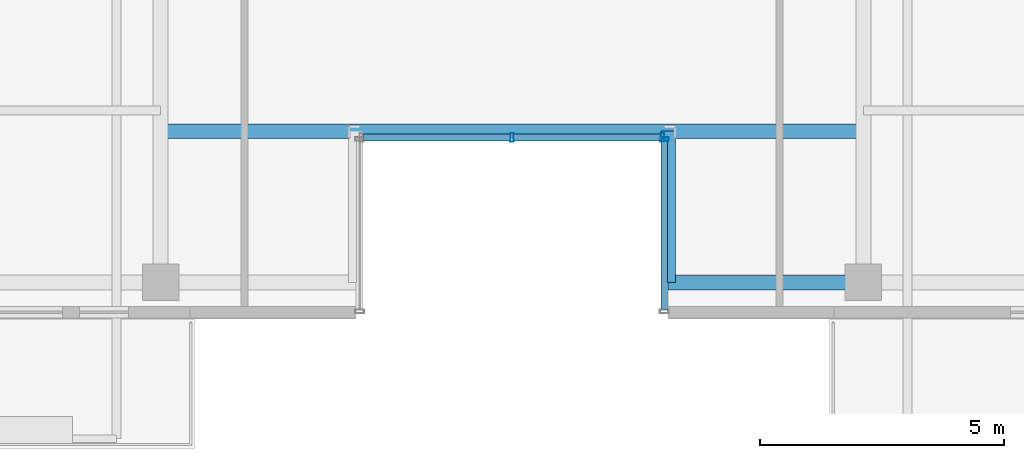
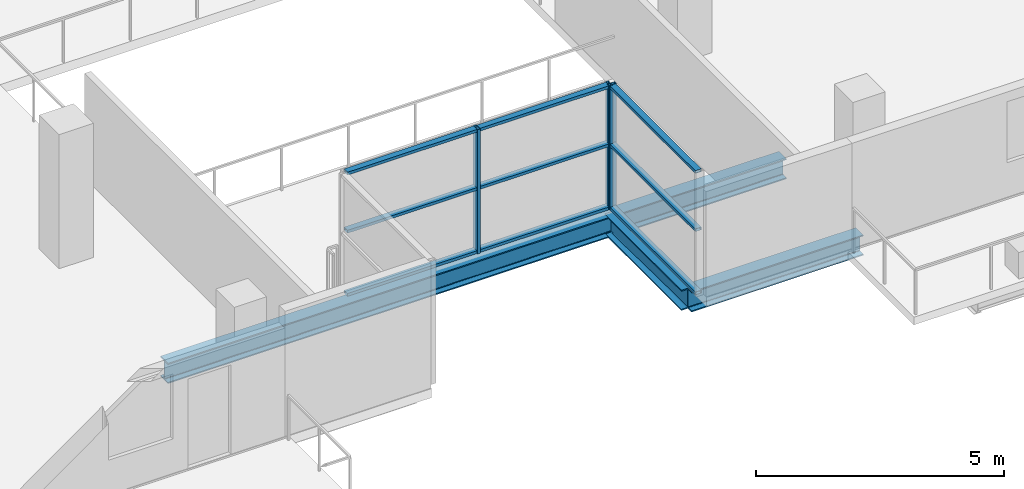
# One storey, part 7 of 25: 12 members, 3 beams, 2 elements without a shape of their own.
"""IFC4 building model written with IfcOpenShell, lengths in metres."""

from ifc_helpers import new_model, si_unit, direction, frame, origin, origin_2d, place, context, subcontext, project, spatial, hollow_rectangle, i_section, extrude, source, transform, mapped, material, layer, layer_set, material_profile, profile_set, type_object, element, aggregate, save


model = new_model("IFC4")

# Units and contexts
model_context = context("Model", 3, precision=1e-05, world=origin(), true_north=direction((0.0, 1.0)))
body_context = subcontext(model_context, "Body", "Model", "MODEL_VIEW")
ifc_project = project(units=[si_unit("LENGTHUNIT", "METRE"), si_unit("AREAUNIT", "SQUARE_METRE"), si_unit("VOLUMEUNIT", "CUBIC_METRE"), si_unit("PLANEANGLEUNIT", "RADIAN"), si_unit("MASSUNIT", "GRAM", prefix="KILO")], contexts=[model_context])

# Site, building, storey
site_placement = place(None, origin())
site = spatial("IfcSite", under=ifc_project, at=site_placement, CompositionType="ELEMENT")
building_placement = place(site_placement, origin())
building = spatial("IfcBuilding", under=site, at=building_placement, Name="Zarnakvel Exchange Tower", CompositionType="ELEMENT")
storey_placement = place(building_placement, frame((0.0, 0.0, 169.300048828125)))
storey = spatial("IfcBuildingStorey", under=building, at=storey_placement, Name="L47", CompositionType="ELEMENT", Elevation=169.300048828125)

# Beams
ifc_material_1 = material(Name="Steel S355", Category="steel")
ifc_material_profile_1 = material_profile(ifc_material_1, i_section(OverallWidth=0.300048828125, OverallDepth=0.5, WebThickness=0.014404296875, FlangeThickness=0.028076171875, FilletRadius=0.027099609375, at=origin_2d()))
ifc_profile_set_1 = profile_set([ifc_material_profile_1], Name="Steel S355")
beam_type_1 = type_object("IfcBeamType", Name="G-06", PredefinedType="BEAM", material=ifc_profile_set_1)
beam_1_placement = place(storey_placement, frame((3.199951171875, -16.64990234375, -0.47509765625), z_axis=(0.0, 1.0, 0.0), x_axis=(-1.0, 0.0, 0.0)))
element("IfcBeam", 1, at=beam_1_placement, inside=storey, type_object=beam_type_1, Name="L47 South Slot East Cheek Beam", PredefinedType="BEAM", context=body_context, shape_type="SweptSolid", body=[
    extrude(i_section(OverallWidth=0.300048828125, OverallDepth=0.5, WebThickness=0.014404296875, FlangeThickness=0.028076171875, FilletRadius=0.027099609375, at=origin_2d()), origin(), (0.0, 0.0, 1.0), 3.099853515625),
])
ifc_material_profile_2 = material_profile(ifc_material_1, i_section(OverallWidth=0.300048828125, OverallDepth=0.5, WebThickness=0.014404296875, FlangeThickness=0.028076171875, FilletRadius=0.027099609375, at=origin_2d()))
ifc_profile_set_2 = profile_set([ifc_material_profile_2], Name="Steel S355")
beam_type_2 = type_object("IfcBeamType", Name="SP-02", PredefinedType="SPANDREL", material=ifc_profile_set_2)
beam_2_placement = place(storey_placement, frame((3.199951171875, -16.64990234375, -0.47509765625), z_axis=(1.0, 0.0, 0.0), x_axis=(0.0, 1.0, 0.0)))
element("IfcBeam", 2, at=beam_2_placement, inside=storey, type_object=beam_type_2, Name="L47 South Slot East Jamb Spandrel", PredefinedType="SPANDREL", context=body_context, shape_type="SweptSolid", body=[
    extrude(i_section(OverallWidth=0.300048828125, OverallDepth=0.5, WebThickness=0.014404296875, FlangeThickness=0.028076171875, FilletRadius=0.027099609375, at=origin_2d()), origin(), (0.0, 0.0, 1.0), 4.0),
])
beam_3_placement = place(storey_placement, frame((-7.199951171875, -13.550048828125, -0.47509765625), z_axis=(1.0, 0.0, 0.0), x_axis=(0.0, 1.0, 0.0)))
element("IfcBeam", 3, at=beam_3_placement, inside=storey, type_object=beam_type_2, Name="L47 South Slot Head Trimmer Girder", PredefinedType="SPANDREL", context=body_context, shape_type="SweptSolid", body=[
    extrude(i_section(OverallWidth=0.300048828125, OverallDepth=0.5, WebThickness=0.014404296875, FlangeThickness=0.028076171875, FilletRadius=0.027099609375, at=origin_2d()), origin(), (0.0, 0.0, 1.0), 14.39990234375),
])

# Curtain wall, members
ifc_material_2 = material(Name="Architectural Bronze Anodised Aluminium", Category="aluminium")
ifc_layer = layer(ifc_material_2, 0.179931640625)
ifc_layer_set = layer_set([ifc_layer], Name="Architectural Bronze Anodised Aluminium")
curtain_wall_type = type_object("IfcCurtainWallType", Name="CW-05", PredefinedType="NOTDEFINED", material=ifc_layer_set)
curtain_wall_1_placement = place(storey_placement, origin())
curtain_wall_1 = element("IfcCurtainWall", 4, at=curtain_wall_1_placement, inside=storey, type_object=curtain_wall_type, Name="L47 Curtain Wall CW-L47-SLE (CW-05)", PredefinedType="NOTDEFINED")
ifc_material_profile_3 = material_profile(ifc_material_2, hollow_rectangle(XDim=0.139892578125, YDim=0.070068359375, WallThickness=0.00390625, at=origin_2d()))
ifc_profile_set_3 = profile_set([ifc_material_profile_3], Name="Architectural Bronze Anodised Aluminium")
member_type_1 = type_object("IfcMemberType", Name="CWT-05", PredefinedType="USERDEFINED", material=ifc_profile_set_3)
shared_shape_1 = source(origin(), body_context, "Body", "SweptSolid", [
    extrude(hollow_rectangle(XDim=0.139892578125, YDim=0.070068359375, WallThickness=0.00390625, at=origin_2d()), origin(), (0.0, 0.0, 1.0), 3.4599609375),
])
member_1_placement = place(storey_placement, frame((3.1201171875, -13.75, 0.034912109375), z_axis=(0.0, -1.0, 0.0), x_axis=(1.0, 0.0, 0.0)))
member_1 = element("IfcMember", 5, at=member_1_placement, type_object=member_type_1, Name="CW-05 transom 1.1", ObjectType="TRANSOM", PredefinedType="USERDEFINED", context=body_context, shape_type="MappedRepresentation", body=[
    mapped(shared_shape_1, transform((0.0, 0.0, 0.0), x_axis=(1.0, 0.0, 0.0), y_axis=(0.0, 1.0, 0.0), z_axis=(0.0, 0.0, 1.0), scale=1.0)),
])
member_2_placement = place(storey_placement, frame((3.1201171875, -13.75, 1.588623046875), z_axis=(0.0, -1.0, 0.0), x_axis=(1.0, 0.0, 0.0)))
member_2 = element("IfcMember", 6, at=member_2_placement, type_object=member_type_1, Name="CW-05 transom 1.2", ObjectType="TRANSOM", PredefinedType="USERDEFINED", context=body_context, shape_type="MappedRepresentation", body=[
    mapped(shared_shape_1, transform((0.0, 0.0, 0.0), x_axis=(1.0, 0.0, 0.0), y_axis=(0.0, 1.0, 0.0), z_axis=(0.0, 0.0, 1.0), scale=1.0)),
])
member_3_placement = place(storey_placement, frame((3.1201171875, -13.75, 3.02001953125), z_axis=(0.0, -1.0, 0.0), x_axis=(1.0, 0.0, 0.0)))
member_3 = element("IfcMember", 7, at=member_3_placement, type_object=member_type_1, Name="CW-05 transom 1.3", ObjectType="TRANSOM", PredefinedType="USERDEFINED", context=body_context, shape_type="MappedRepresentation", body=[
    mapped(shared_shape_1, transform((0.0, 0.0, 0.0), x_axis=(1.0, 0.0, 0.0), y_axis=(0.0, 1.0, 0.0), z_axis=(0.0, 0.0, 1.0), scale=1.0)),
])

curtain_wall_2_placement = place(storey_placement, origin())
curtain_wall_2 = element("IfcCurtainWall", 8, at=curtain_wall_2_placement, inside=storey, type_object=curtain_wall_type, Name="L47 Curtain Wall CW-L47-SLB (CW-05)", PredefinedType="NOTDEFINED")
shared_shape_2 = source(origin(), body_context, "Body", "SweptSolid", [
    extrude(hollow_rectangle(XDim=0.139892578125, YDim=0.070068359375, WallThickness=0.00390625, at=origin_2d()), origin(), (0.0, 0.0, 1.0), 3.01513671875),
])
member_4_placement = place(storey_placement, frame((-3.050048828125, -13.679931640625, 0.034912109375), z_axis=(1.0, 0.0, 0.0), x_axis=(0.0, 1.0, 0.0)))
member_4 = element("IfcMember", 9, at=member_4_placement, type_object=member_type_1, Name="CW-05 transom 1.1", ObjectType="TRANSOM", PredefinedType="USERDEFINED", context=body_context, shape_type="MappedRepresentation", body=[
    mapped(shared_shape_2, transform((0.0, 0.0, 0.0), x_axis=(1.0, 0.0, 0.0), y_axis=(0.0, 1.0, 0.0), z_axis=(0.0, 0.0, 1.0), scale=1.0)),
])
member_5_placement = place(storey_placement, frame((-3.050048828125, -13.679931640625, 1.588623046875), z_axis=(1.0, 0.0, 0.0), x_axis=(0.0, 1.0, 0.0)))
member_5 = element("IfcMember", 10, at=member_5_placement, type_object=member_type_1, Name="CW-05 transom 1.2", ObjectType="TRANSOM", PredefinedType="USERDEFINED", context=body_context, shape_type="MappedRepresentation", body=[
    mapped(shared_shape_2, transform((0.0, 0.0, 0.0), x_axis=(1.0, 0.0, 0.0), y_axis=(0.0, 1.0, 0.0), z_axis=(0.0, 0.0, 1.0), scale=1.0)),
])
member_6_placement = place(storey_placement, frame((-3.050048828125, -13.679931640625, 3.02001953125), z_axis=(1.0, 0.0, 0.0), x_axis=(0.0, 1.0, 0.0)))
member_6 = element("IfcMember", 11, at=member_6_placement, type_object=member_type_1, Name="CW-05 transom 1.3", ObjectType="TRANSOM", PredefinedType="USERDEFINED", context=body_context, shape_type="MappedRepresentation", body=[
    mapped(shared_shape_2, transform((0.0, 0.0, 0.0), x_axis=(1.0, 0.0, 0.0), y_axis=(0.0, 1.0, 0.0), z_axis=(0.0, 0.0, 1.0), scale=1.0)),
])
member_7_placement = place(storey_placement, frame((0.034912109375, -13.679931640625, 0.034912109375), z_axis=(1.0, 0.0, 0.0), x_axis=(0.0, 1.0, 0.0)))
member_7 = element("IfcMember", 12, at=member_7_placement, type_object=member_type_1, Name="CW-05 transom 2.1", ObjectType="TRANSOM", PredefinedType="USERDEFINED", context=body_context, shape_type="MappedRepresentation", body=[
    mapped(shared_shape_2, transform((0.0, 0.0, 0.0), x_axis=(1.0, 0.0, 0.0), y_axis=(0.0, 1.0, 0.0), z_axis=(0.0, 0.0, 1.0), scale=1.0)),
])
member_8_placement = place(storey_placement, frame((0.034912109375, -13.679931640625, 1.588623046875), z_axis=(1.0, 0.0, 0.0), x_axis=(0.0, 1.0, 0.0)))
member_8 = element("IfcMember", 13, at=member_8_placement, type_object=member_type_1, Name="CW-05 transom 2.2", ObjectType="TRANSOM", PredefinedType="USERDEFINED", context=body_context, shape_type="MappedRepresentation", body=[
    mapped(shared_shape_2, transform((0.0, 0.0, 0.0), x_axis=(1.0, 0.0, 0.0), y_axis=(0.0, 1.0, 0.0), z_axis=(0.0, 0.0, 1.0), scale=1.0)),
])
member_9_placement = place(storey_placement, frame((0.034912109375, -13.679931640625, 3.02001953125), z_axis=(1.0, 0.0, 0.0), x_axis=(0.0, 1.0, 0.0)))
member_9 = element("IfcMember", 14, at=member_9_placement, type_object=member_type_1, Name="CW-05 transom 2.3", ObjectType="TRANSOM", PredefinedType="USERDEFINED", context=body_context, shape_type="MappedRepresentation", body=[
    mapped(shared_shape_2, transform((0.0, 0.0, 0.0), x_axis=(1.0, 0.0, 0.0), y_axis=(0.0, 1.0, 0.0), z_axis=(0.0, 0.0, 1.0), scale=1.0)),
])
ifc_material_profile_4 = material_profile(ifc_material_2, hollow_rectangle(XDim=0.179931640625, YDim=0.070068359375, WallThickness=0.00390625, at=origin_2d()))
ifc_profile_set_4 = profile_set([ifc_material_profile_4], Name="Architectural Bronze Anodised Aluminium")
member_type_2 = type_object("IfcMemberType", Name="CWM-05", PredefinedType="MULLION", material=ifc_profile_set_4)
shared_shape_3 = source(origin(), body_context, "Body", "SweptSolid", [
    extrude(hollow_rectangle(XDim=0.179931640625, YDim=0.070068359375, WallThickness=0.00390625, at=origin_2d()), origin(), (0.0, 0.0, 1.0), 3.054931640625),
])
member_10_placement = place(storey_placement, frame((0.0, -13.679931640625, 0.0), z_axis=(0.0, 0.0, 1.0), x_axis=(0.0, 1.0, 0.0)))
member_10 = element("IfcMember", 15, at=member_10_placement, type_object=member_type_2, Name="CW-05 mullion 2", PredefinedType="MULLION", context=body_context, shape_type="MappedRepresentation", body=[
    mapped(shared_shape_3, transform((0.0, 0.0, 0.0), x_axis=(1.0, 0.0, 0.0), y_axis=(0.0, 1.0, 0.0), z_axis=(0.0, 0.0, 1.0), scale=1.0)),
])
member_11_placement = place(storey_placement, frame((3.0849609375, -13.679931640625, 0.0), z_axis=(0.0, 0.0, 1.0), x_axis=(0.0, 1.0, 0.0)))
member_11 = element("IfcMember", 16, at=member_11_placement, type_object=member_type_2, Name="CW-05 mullion 3", PredefinedType="MULLION", context=body_context, shape_type="MappedRepresentation", body=[
    mapped(shared_shape_3, transform((0.0, 0.0, 0.0), x_axis=(1.0, 0.0, 0.0), y_axis=(0.0, 1.0, 0.0), z_axis=(0.0, 0.0, 1.0), scale=1.0)),
])
aggregate(curtain_wall_2, [member_10, member_11, member_4, member_5, member_6, member_7, member_8, member_9])

# Member
member_12_placement = place(storey_placement, frame((3.1201171875, -13.715087890625, 0.0), z_axis=(0.0, 0.0, 1.0), x_axis=(1.0, 0.0, 0.0)))
member_12 = element("IfcMember", 17, at=member_12_placement, type_object=member_type_2, Name="CW-05 mullion 1", PredefinedType="MULLION", context=body_context, shape_type="MappedRepresentation", body=[
    mapped(shared_shape_3, transform((0.0, 0.0, 0.0), x_axis=(1.0, 0.0, 0.0), y_axis=(0.0, 1.0, 0.0), z_axis=(0.0, 0.0, 1.0), scale=1.0)),
])

aggregate(curtain_wall_1, [member_12, member_1, member_2, member_3])

save(model, "model.ifc")
